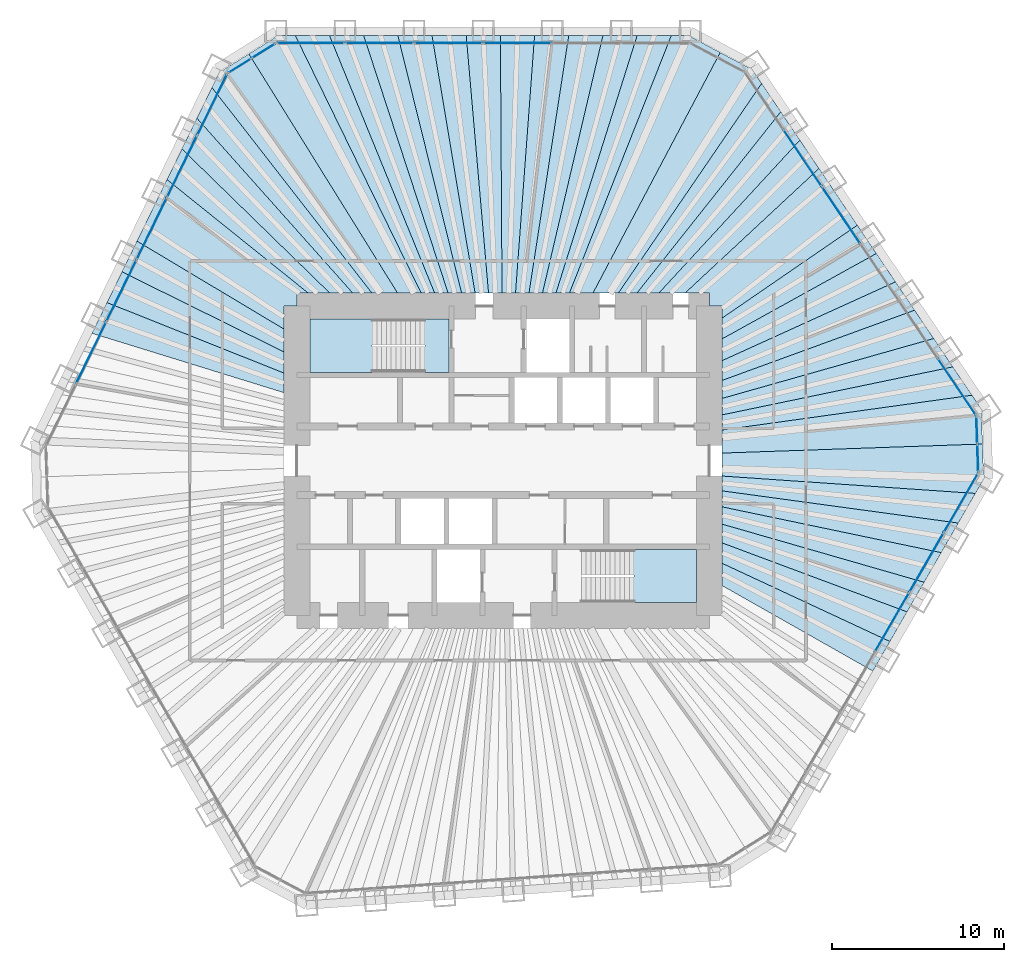
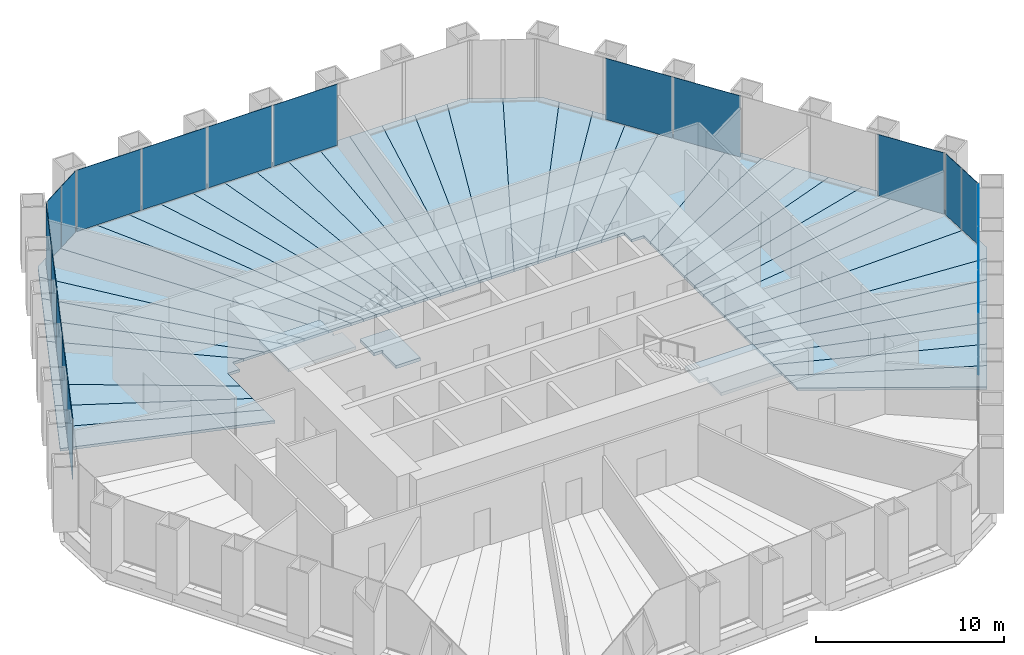
# One storey, part 9 of 13: 43 slabs, 19 plates, 8 elements without a shape of their own.
"""IFC4 building model written with IfcOpenShell, lengths in metres."""

import ifcopenshell
import ifcopenshell.guid

model = None  # the IFC model being written
_history = None  # IfcOwnerHistory: only IFC2X3 demands one
_inside = {}  # id of a spatial element -> (the spatial element, [elements in it])
_under = {}  # id of a project, library or spatial element -> (it, [spatial elements below it])
_declared = {}  # id of a project -> (the project, [libraries it declares])
_typed = {}  # id of a type object -> (the type object, [elements of that type])
_made_of = {}  # id of a material, layer set ... -> (it, [elements and type objects made of it])


def new_model(schema):
    """Start an empty IFC model of exactly this schema.

    Asked for "IFC4X3", IfcOpenShell would pick the latest addendum, in which some entities
    have other attributes; the version numbers below select the first issue.
    IFC2X3 requires an IfcOwnerHistory on every rooted entity: one is made here for all.
    """
    global model, _history
    if schema == "IFC4X3":
        model = ifcopenshell.file(schema_version=(4, 3, 0, 0))
    else:
        model = ifcopenshell.file(schema=schema)
    _inside.clear()
    _under.clear()
    _declared.clear()
    _typed.clear()
    _made_of.clear()
    _history = None
    if model.schema == "IFC2X3":
        org = make("IfcOrganization", Name="unknown")
        user = make(
            "IfcPersonAndOrganization",
            ThePerson=make("IfcPerson", FamilyName="unknown"),
            TheOrganization=org,
        )
        app = make(
            "IfcApplication",
            ApplicationDeveloper=org,
            Version="unknown",
            ApplicationFullName="unknown",
            ApplicationIdentifier="unknown",
        )
        _history = make(
            "IfcOwnerHistory",
            OwningUser=user,
            OwningApplication=app,
            ChangeAction="ADDED",
            CreationDate=0,
        )
    return model


def make(cls, **values):
    """One entity of the class cls with the attributes given. An attribute that is None is left unset."""
    return model.create_entity(
        cls, **{name: value for name, value in values.items() if value is not None}
    )


def rooted(cls, **values):
    """An entity with a GlobalId (a new one), such as an element, a storey or a relation."""
    return make(cls, GlobalId=ifcopenshell.guid.new(), OwnerHistory=_history, **values)


def si_unit(unit_type, name, prefix=None):
    """IfcSIUnit, for example si_unit("LENGTHUNIT", "METRE", prefix="MILLI")."""
    return make("IfcSIUnit", UnitType=unit_type, Prefix=prefix, Name=name)


def assignment(units):
    """IfcUnitAssignment: the units of a project."""
    return None if units is None else make("IfcUnitAssignment", Units=units)


def point(xyz):
    """IfcCartesianPoint."""
    return None if xyz is None else make("IfcCartesianPoint", Coordinates=xyz)


def direction(xyz):
    """IfcDirection."""
    return None if xyz is None else make("IfcDirection", DirectionRatios=xyz)


def frame(location, z_axis=None, x_axis=None):
    """IfcAxis2Placement3D, a coordinate frame: its origin and axes. An axis left out is left unset."""
    return make(
        "IfcAxis2Placement3D",
        Location=point(location),
        Axis=direction(z_axis),
        RefDirection=direction(x_axis),
    )


def frame_2d(location, x_axis=None):
    """IfcAxis2Placement2D, a coordinate frame in the plane: its origin and x axis."""
    return make(
        "IfcAxis2Placement2D", Location=point(location), RefDirection=direction(x_axis)
    )


def origin():
    """The frame at (0, 0, 0) with its axes left unset."""
    return frame((0.0, 0.0, 0.0))


def origin_2d():
    """The frame at (0, 0) in the plane with its x axis left unset."""
    return frame_2d((0.0, 0.0))


def place(relative_to, where):
    """IfcLocalPlacement: puts the frame where relative to a parent placement (None: the world)."""
    return make(
        "IfcLocalPlacement", PlacementRelTo=relative_to, RelativePlacement=where
    )


def context(
    kind, dimensions, precision=None, world=None, true_north=None, identifier=None
):
    """IfcGeometricRepresentationContext, for example the 3D "Model" context."""
    return make(
        "IfcGeometricRepresentationContext",
        ContextIdentifier=identifier,
        ContextType=kind,
        CoordinateSpaceDimension=dimensions,
        Precision=precision,
        WorldCoordinateSystem=world,
        TrueNorth=true_north,
    )


def subcontext(parent, identifier, kind, view, scale=None):
    """IfcGeometricRepresentationSubContext, for example "Body" below "Model"."""
    return make(
        "IfcGeometricRepresentationSubContext",
        ContextIdentifier=identifier,
        ContextType=kind,
        ParentContext=parent,
        TargetScale=scale,
        TargetView=view,
    )


def project(units=None, contexts=None):
    """IfcProject with its units and contexts."""
    return rooted(
        "IfcProject",
        Name="project",
        RepresentationContexts=contexts,
        UnitsInContext=assignment(units),
    )


def spatial(cls, under=None, at=None, **own):
    """A site, building, storey or space (cls), placed at a placement, below another one or the project."""
    s = rooted(cls, ObjectPlacement=at, **own)
    if under is not None:
        _under.setdefault(under.id(), (under, []))[1].append(s)
    return s


def polyline(points):
    """IfcPolyline through the points."""
    return make("IfcPolyline", Points=[point(p) for p in points])


def profile(cls, at=None, kind="AREA", **sizes):
    """A parametric profile (cls). Its sizes go by their IFC names, for example OverallWidth=200.0."""
    return make(cls, ProfileType=kind, Position=at, **sizes)


def rectangle(**sizes):
    """IfcRectangleProfileDef."""
    return profile("IfcRectangleProfileDef", **sizes)


def outline(outer, holes=None, kind="AREA"):
    """IfcArbitraryClosedProfileDef: a profile drawn as a closed curve; with holes, ...WithVoids."""
    if holes is None:
        return make("IfcArbitraryClosedProfileDef", ProfileType=kind, OuterCurve=outer)
    return make(
        "IfcArbitraryProfileDefWithVoids",
        ProfileType=kind,
        OuterCurve=outer,
        InnerCurves=holes,
    )


def extrude(swept, where, along, depth):
    """IfcExtrudedAreaSolid: the profile swept, set in the frame where, extruded along a direction by depth."""
    return make(
        "IfcExtrudedAreaSolid",
        SweptArea=swept,
        Position=where,
        ExtrudedDirection=direction(along),
        Depth=depth,
    )


def shape(context_of_items, identifier, shape_type, items):
    """IfcShapeRepresentation: the items that make up one representation, for example the "Body"."""
    return make(
        "IfcShapeRepresentation",
        ContextOfItems=context_of_items,
        RepresentationIdentifier=identifier,
        RepresentationType=shape_type,
        Items=items,
    )


def material(Name=None, Category=None):
    """IfcMaterial."""
    return make("IfcMaterial", Name=Name, Category=Category)


def layer(
    of_material, thickness, ventilated=None, Name=None, Category=None, Priority=None
):
    """IfcMaterialLayer: one layer of a wall or slab, of a material (None: an air gap)."""
    return make(
        "IfcMaterialLayer",
        Material=of_material,
        LayerThickness=thickness,
        IsVentilated=ventilated,
        Name=Name,
        Category=Category,
        Priority=Priority,
    )


def layer_set(layers, Name=None):
    """IfcMaterialLayerSet."""
    return make("IfcMaterialLayerSet", MaterialLayers=layers, LayerSetName=Name)


def made_of(thing, what):
    """Note that an element or type object is made of a material, layer set ...; save() writes the relation."""
    if what is not None:
        _made_of.setdefault(what.id(), (what, []))[1].append(thing)
    return thing


def type_object(cls, material=None, **own):
    """A type object (cls), such as IfcWallType, which elements share."""
    return made_of(rooted(cls, **own), material)


def element(
    cls,
    number,
    at=None,
    inside=None,
    cuts=None,
    type_object=None,
    material=None,
    context=None,
    identifier="Body",
    shape_type=None,
    held_by="IfcProductDefinitionShape",
    body=None,
    shapes=None,
    **own,
):
    """One element of the class cls, such as IfcWall. Its Tag is "e" and its number.

    at: its placement. inside: the storey or other place that contains it. cuts: it is an
    opening in that element (IfcRelVoidsElement). A single representation is given by context,
    identifier, shape_type and body (its items); several are given by shapes. held_by: the class
    of the entity that holds the representations. save() writes the other relations.
    """
    e = rooted(cls, Tag="e%d" % number, ObjectPlacement=at, **own)
    if body is not None:
        shapes = [shape(context, identifier, shape_type, body)]
    if shapes is not None:
        e.Representation = make(held_by, Representations=shapes)
    if inside is not None:
        _inside.setdefault(inside.id(), (inside, []))[1].append(e)
    if cuts is not None:
        rooted(
            "IfcRelVoidsElement", RelatingBuildingElement=cuts, RelatedOpeningElement=e
        )
    if type_object is not None:
        _typed.setdefault(type_object.id(), (type_object, []))[1].append(e)
    return made_of(e, material)


def aggregate(whole, parts):
    """IfcRelAggregates: a whole, such as a stair, and the parts it consists of."""
    return rooted("IfcRelAggregates", RelatingObject=whole, RelatedObjects=parts)


def save(model, path):
    """Write the relations noted so far, then the file.

    IfcRelAggregates (storeys below a building ...), IfcRelContainedInSpatialStructure (elements
    in a storey), IfcRelDefinesByType, IfcRelAssociatesMaterial and IfcRelDeclares: one each for
    every whole, place, type object, material and project.
    """
    for whole, parts in _under.values():
        aggregate(whole, parts)
    for where, things in _inside.values():
        rooted(
            "IfcRelContainedInSpatialStructure",
            RelatedElements=things,
            RelatingStructure=where,
        )
    for kind, things in _typed.values():
        rooted("IfcRelDefinesByType", RelatedObjects=things, RelatingType=kind)
    for what, things in _made_of.values():
        rooted("IfcRelAssociatesMaterial", RelatedObjects=things, RelatingMaterial=what)
    for by, libraries in _declared.values():
        rooted("IfcRelDeclares", RelatingContext=by, RelatedDefinitions=libraries)
    model.write(path)


model = new_model("IFC4")

# Units and contexts
model_context = context("Model", 3, precision=1e-05, world=origin(), true_north=direction((0.0, 1.0)))
body_context = subcontext(model_context, "Body", "Model", "MODEL_VIEW")
ifc_project = project(units=[si_unit("LENGTHUNIT", "METRE"), si_unit("AREAUNIT", "SQUARE_METRE"), si_unit("VOLUMEUNIT", "CUBIC_METRE"), si_unit("PLANEANGLEUNIT", "RADIAN"), si_unit("MASSUNIT", "GRAM", prefix="KILO")], contexts=[model_context])

# Site, building, storey
site_placement = place(None, origin())
site = spatial("IfcSite", under=ifc_project, at=site_placement, CompositionType="ELEMENT")
building_placement = place(site_placement, origin())
building = spatial("IfcBuilding", under=site, at=building_placement, Name="Qingtian Harvest Tower", CompositionType="ELEMENT")
storey_placement = place(building_placement, frame((0.0, 0.0, 124.0)))
storey = spatial("IfcBuildingStorey", under=building, at=storey_placement, Name="L25", CompositionType="ELEMENT", Elevation=124.0)

# Slabs
ifc_material_1 = material(Name="Concrete fc' 35 MPa", Category="concrete")
ifc_layer_1 = layer(ifc_material_1, 0.169921875)
ifc_layer_set_1 = layer_set([ifc_layer_1], Name="Composite floor slab FS17 170")
slab_type_1 = type_object("IfcSlabType", Name="Composite floor slab FS17 170", PredefinedType="FLOOR", material=ifc_layer_set_1)
slab_1_placement = place(storey_placement, frame((0.0, 0.0, -0.169921875)))
element("IfcSlab", 1, at=slab_1_placement, inside=storey, type_object=slab_type_1, Name="Floor slab L25 panel D33", PredefinedType="FLOOR", context=body_context, shape_type="SweptSolid", body=[
    extrude(outline(polyline([(12.75, -5.97021484375), (22.51220703125, -10.517578125), (21.517333984375, -12.24072265625), (12.75, -7.268798828125), (12.75, -5.97021484375)])), origin(), (0.0, 0.0, 1.0), 0.169921875),
])
slab_2_placement = place(storey_placement, frame((0.0, 0.0, -0.169921875)))
element("IfcSlab", 2, at=slab_2_placement, inside=storey, type_object=slab_type_1, Name="Floor slab L25 panel D34", PredefinedType="FLOOR", context=body_context, shape_type="SweptSolid", body=[
    extrude(outline(polyline([(12.75, -4.78173828125), (23.50732421875, -8.794189453125), (22.51220703125, -10.517578125), (12.75, -5.97021484375), (12.75, -4.78173828125)])), origin(), (0.0, 0.0, 1.0), 0.169921875),
])
slab_3_placement = place(storey_placement, frame((0.0, 0.0, -0.169921875)))
element("IfcSlab", 3, at=slab_3_placement, inside=storey, type_object=slab_type_1, Name="Floor slab L25 panel D35", PredefinedType="FLOOR", context=body_context, shape_type="SweptSolid", body=[
    extrude(outline(polyline([(12.75, -3.68994140625), (24.502197265625, -7.071044921875), (23.50732421875, -8.794189453125), (12.75, -4.78173828125), (12.75, -3.68994140625)])), origin(), (0.0, 0.0, 1.0), 0.169921875),
])
slab_4_placement = place(storey_placement, frame((0.0, 0.0, -0.169921875)))
element("IfcSlab", 4, at=slab_4_placement, inside=storey, type_object=slab_type_1, Name="Floor slab L25 panel D36", PredefinedType="FLOOR", context=body_context, shape_type="SweptSolid", body=[
    extrude(outline(polyline([(12.75, -2.683349609375), (25.4970703125, -5.34765625), (24.502197265625, -7.071044921875), (12.75, -3.68994140625), (12.75, -2.683349609375)])), origin(), (0.0, 0.0, 1.0), 0.169921875),
])
slab_5_placement = place(storey_placement, frame((0.0, 0.0, -0.169921875)))
element("IfcSlab", 5, at=slab_5_placement, inside=storey, type_object=slab_type_1, Name="Floor slab L25 panel D37", PredefinedType="FLOOR", context=body_context, shape_type="SweptSolid", body=[
    extrude(outline(polyline([(12.75, -1.752685546875), (26.4921875, -3.624267578125), (25.4970703125, -5.34765625), (12.75, -2.683349609375), (12.75, -1.752685546875)])), origin(), (0.0, 0.0, 1.0), 0.169921875),
])
slab_6_placement = place(storey_placement, frame((0.0, 0.0, -0.169921875)))
element("IfcSlab", 6, at=slab_6_placement, inside=storey, type_object=slab_type_1, Name="Floor slab L25 panel D38", PredefinedType="FLOOR", context=body_context, shape_type="SweptSolid", body=[
    extrude(outline(polyline([(12.75, -0.889404296875), (27.487060546875, -1.901123046875), (26.4921875, -3.624267578125), (12.75, -1.752685546875), (12.75, -0.889404296875)])), origin(), (0.0, 0.0, 1.0), 0.169921875),
])
slab_7_placement = place(storey_placement, frame((0.0, 0.0, -0.169921875)))
element("IfcSlab", 7, at=slab_7_placement, inside=storey, type_object=slab_type_1, Name="Floor slab L25 panel D39", PredefinedType="FLOOR", context=body_context, shape_type="SweptSolid", body=[
    extrude(outline(polyline([(12.75, -0.889404296875), (12.75, 0.447509765625), (27.90185546875, 0.974365234375), (27.972900390625, -1.059814453125), (27.487060546875, -1.901123046875), (12.75, -0.889404296875)])), origin(), (0.0, 0.0, 1.0), 0.169921875),
])
slab_8_placement = place(storey_placement, frame((0.0, 0.0, -0.169921875)))
element("IfcSlab", 8, at=slab_8_placement, inside=storey, type_object=slab_type_1, Name="Floor slab L25 panel D40", PredefinedType="FLOOR", context=body_context, shape_type="SweptSolid", body=[
    extrude(outline(polyline([(12.75, 0.447509765625), (12.75, 1.79052734375), (27.287353515625, 3.81396484375), (27.830810546875, 3.008544921875), (27.90185546875, 0.974365234375), (12.75, 0.447509765625)])), origin(), (0.0, 0.0, 1.0), 0.169921875),
])
slab_9_placement = place(storey_placement, frame((0.0, 0.0, -0.169921875)))
element("IfcSlab", 9, at=slab_9_placement, inside=storey, type_object=slab_type_1, Name="Floor slab L25 panel D41", PredefinedType="FLOOR", context=body_context, shape_type="SweptSolid", body=[
    extrude(outline(polyline([(12.75, 2.671142578125), (26.1748046875, 5.463623046875), (27.287353515625, 3.81396484375), (12.75, 1.79052734375), (12.75, 2.671142578125)])), origin(), (0.0, 0.0, 1.0), 0.169921875),
])
slab_10_placement = place(storey_placement, frame((0.0, 0.0, -0.169921875)))
element("IfcSlab", 10, at=slab_10_placement, inside=storey, type_object=slab_type_1, Name="Floor slab L25 panel D42", PredefinedType="FLOOR", context=body_context, shape_type="SweptSolid", body=[
    extrude(outline(polyline([(12.75, 3.6298828125), (25.06201171875, 7.11328125), (26.1748046875, 5.463623046875), (12.75, 2.671142578125), (12.75, 3.6298828125)])), origin(), (0.0, 0.0, 1.0), 0.169921875),
])
slab_11_placement = place(storey_placement, frame((0.0, 0.0, -0.169921875)))
element("IfcSlab", 11, at=slab_11_placement, inside=storey, type_object=slab_type_1, Name="Floor slab L25 panel D43", PredefinedType="FLOOR", context=body_context, shape_type="SweptSolid", body=[
    extrude(outline(polyline([(12.75, 4.677734375), (23.94921875, 8.762939453125), (25.06201171875, 7.11328125), (12.75, 3.6298828125), (12.75, 4.677734375)])), origin(), (0.0, 0.0, 1.0), 0.169921875),
])
slab_12_placement = place(storey_placement, frame((0.0, 0.0, -0.169921875)))
element("IfcSlab", 12, at=slab_12_placement, inside=storey, type_object=slab_type_1, Name="Floor slab L25 panel D44", PredefinedType="FLOOR", context=body_context, shape_type="SweptSolid", body=[
    extrude(outline(polyline([(12.75, 5.828125), (22.83642578125, 10.41259765625), (23.94921875, 8.762939453125), (12.75, 4.677734375), (12.75, 5.828125)])), origin(), (0.0, 0.0, 1.0), 0.169921875),
])
slab_13_placement = place(storey_placement, frame((0.0, 0.0, -0.169921875)))
element("IfcSlab", 13, at=slab_13_placement, inside=storey, type_object=slab_type_1, Name="Floor slab L25 panel D45", PredefinedType="FLOOR", context=body_context, shape_type="SweptSolid", body=[
    extrude(outline(polyline([(12.75, 7.096435546875), (21.723876953125, 12.062255859375), (22.83642578125, 10.41259765625), (12.75, 5.828125), (12.75, 7.096435546875)])), origin(), (0.0, 0.0, 1.0), 0.169921875),
])
slab_14_placement = place(storey_placement, frame((0.0, 0.0, -0.169921875)))
element("IfcSlab", 14, at=slab_14_placement, inside=storey, type_object=slab_type_1, Name="Floor slab L25 panel D46", PredefinedType="FLOOR", context=body_context, shape_type="SweptSolid", body=[
    extrude(outline(polyline([(12.75, 8.30615234375), (20.61328125, 13.708740234375), (21.723876953125, 12.062255859375), (12.75, 7.096435546875), (12.75, 8.30615234375)])), origin(), (0.0, 0.0, 1.0), 0.169921875),
])
slab_15_placement = place(storey_placement, frame((0.0, 0.0, -0.169921875)))
element("IfcSlab", 15, at=slab_15_placement, inside=storey, type_object=slab_type_1, Name="Floor slab L25 panel D48", PredefinedType="FLOOR", context=body_context, shape_type="SweptSolid", body=[
    extrude(outline(polyline([(18.38623046875, 17.010498046875), (20.61328125, 13.708740234375), (12.75, 8.30615234375), (12.75, 9.0), (12.0, 9.0), (12.0, 9.75), (10.578369140625, 9.75), (18.38623046875, 17.010498046875)])), origin(), (0.0, 0.0, 1.0), 0.169921875),
])
slab_16_placement = place(storey_placement, frame((0.0, 0.0, -0.169921875)))
element("IfcSlab", 16, at=slab_16_placement, inside=storey, type_object=slab_type_1, Name="Floor slab L25 panel D49", PredefinedType="FLOOR", context=body_context, shape_type="SweptSolid", body=[
    extrude(outline(polyline([(9.0556640625, 9.75), (17.2734375, 18.66015625), (18.38623046875, 17.010498046875), (10.578369140625, 9.75), (9.0556640625, 9.75)])), origin(), (0.0, 0.0, 1.0), 0.169921875),
])
slab_17_placement = place(storey_placement, frame((0.0, 0.0, -0.169921875)))
element("IfcSlab", 17, at=slab_17_placement, inside=storey, type_object=slab_type_1, Name="Floor slab L25 panel D50", PredefinedType="FLOOR", context=body_context, shape_type="SweptSolid", body=[
    extrude(outline(polyline([(7.781494140625, 9.75), (16.16064453125, 20.31005859375), (17.2734375, 18.66015625), (9.0556640625, 9.75), (7.781494140625, 9.75)])), origin(), (0.0, 0.0, 1.0), 0.169921875),
])
slab_18_placement = place(storey_placement, frame((0.0, 0.0, -0.169921875)))
element("IfcSlab", 18, at=slab_18_placement, inside=storey, type_object=slab_type_1, Name="Floor slab L25 panel D51", PredefinedType="FLOOR", context=body_context, shape_type="SweptSolid", body=[
    extrude(outline(polyline([(6.69970703125, 9.75), (15.0478515625, 21.959716796875), (16.16064453125, 20.31005859375), (7.781494140625, 9.75), (6.69970703125, 9.75)])), origin(), (0.0, 0.0, 1.0), 0.169921875),
])
slab_19_placement = place(storey_placement, frame((0.0, 0.0, -0.169921875)))
element("IfcSlab", 19, at=slab_19_placement, inside=storey, type_object=slab_type_1, Name="Floor slab L25 panel D52", PredefinedType="FLOOR", context=body_context, shape_type="SweptSolid", body=[
    extrude(outline(polyline([(6.69970703125, 9.75), (5.224609375, 9.75), (12.634033203125, 23.759765625), (14.504638671875, 22.765380859375), (15.0478515625, 21.959716796875), (6.69970703125, 9.75)])), origin(), (0.0, 0.0, 1.0), 0.169921875),
])
slab_20_placement = place(storey_placement, frame((0.0, 0.0, -0.169921875)))
element("IfcSlab", 20, at=slab_20_placement, inside=storey, type_object=slab_type_1, Name="Floor slab L25 panel D53", PredefinedType="FLOOR", context=body_context, shape_type="SweptSolid", body=[
    extrude(outline(polyline([(3.856201171875, 9.75), (9.791015625, 24.7548828125), (10.762451171875, 24.7548828125), (12.634033203125, 23.759765625), (5.224609375, 9.75), (3.856201171875, 9.75)])), origin(), (0.0, 0.0, 1.0), 0.169921875),
])
slab_21_placement = place(storey_placement, frame((0.0, 0.0, -0.169921875)))
element("IfcSlab", 21, at=slab_21_placement, inside=storey, type_object=slab_type_1, Name="Floor slab L25 panel D54", PredefinedType="FLOOR", context=body_context, shape_type="SweptSolid", body=[
    extrude(outline(polyline([(3.072509765625, 9.75), (7.80126953125, 24.7548828125), (9.791015625, 24.7548828125), (3.856201171875, 9.75), (3.072509765625, 9.75)])), origin(), (0.0, 0.0, 1.0), 0.169921875),
])
slab_22_placement = place(storey_placement, frame((0.0, 0.0, -0.169921875)))
element("IfcSlab", 22, at=slab_22_placement, inside=storey, type_object=slab_type_1, Name="Floor slab L25 panel D55", PredefinedType="FLOOR", context=body_context, shape_type="SweptSolid", body=[
    extrude(outline(polyline([(2.288818359375, 9.75), (5.811279296875, 24.7548828125), (7.80126953125, 24.7548828125), (3.072509765625, 9.75), (2.288818359375, 9.75)])), origin(), (0.0, 0.0, 1.0), 0.169921875),
])
slab_23_placement = place(storey_placement, frame((0.0, 0.0, -0.169921875)))
element("IfcSlab", 23, at=slab_23_placement, inside=storey, type_object=slab_type_1, Name="Floor slab L25 panel D56", PredefinedType="FLOOR", context=body_context, shape_type="SweptSolid", body=[
    extrude(outline(polyline([(1.505126953125, 9.75), (3.821533203125, 24.7548828125), (5.811279296875, 24.7548828125), (2.288818359375, 9.75), (1.505126953125, 9.75)])), origin(), (0.0, 0.0, 1.0), 0.169921875),
])
slab_24_placement = place(storey_placement, frame((0.0, 0.0, -0.169921875)))
element("IfcSlab", 24, at=slab_24_placement, inside=storey, type_object=slab_type_1, Name="Floor slab L25 panel D57", PredefinedType="FLOOR", context=body_context, shape_type="SweptSolid", body=[
    extrude(outline(polyline([(0.721435546875, 9.75), (1.831787109375, 24.7548828125), (3.821533203125, 24.7548828125), (1.505126953125, 9.75), (0.721435546875, 9.75)])), origin(), (0.0, 0.0, 1.0), 0.169921875),
])
slab_25_placement = place(storey_placement, frame((0.0, 0.0, -0.169921875)))
element("IfcSlab", 25, at=slab_25_placement, inside=storey, type_object=slab_type_1, Name="Floor slab L25 panel D58", PredefinedType="FLOOR", context=body_context, shape_type="SweptSolid", body=[
    extrude(outline(polyline([(-0.062255859375, 9.75), (-0.158203125, 24.7548828125), (1.831787109375, 24.7548828125), (0.721435546875, 9.75), (-0.062255859375, 9.75)])), origin(), (0.0, 0.0, 1.0), 0.169921875),
])
slab_26_placement = place(storey_placement, frame((0.0, 0.0, -0.169921875)))
element("IfcSlab", 26, at=slab_26_placement, inside=storey, type_object=slab_type_1, Name="Floor slab L25 panel D59", PredefinedType="FLOOR", context=body_context, shape_type="SweptSolid", body=[
    extrude(outline(polyline([(-0.845947265625, 9.75), (-2.14794921875, 24.7548828125), (-0.158203125, 24.7548828125), (-0.062255859375, 9.75), (-0.845947265625, 9.75)])), origin(), (0.0, 0.0, 1.0), 0.169921875),
])
slab_27_placement = place(storey_placement, frame((0.0, 0.0, -0.169921875)))
element("IfcSlab", 27, at=slab_27_placement, inside=storey, type_object=slab_type_1, Name="Floor slab L25 panel D60", PredefinedType="FLOOR", context=body_context, shape_type="SweptSolid", body=[
    extrude(outline(polyline([(-1.629638671875, 9.75), (-4.137939453125, 24.7548828125), (-2.14794921875, 24.7548828125), (-0.845947265625, 9.75), (-1.629638671875, 9.75)])), origin(), (0.0, 0.0, 1.0), 0.169921875),
])
slab_28_placement = place(storey_placement, frame((0.0, 0.0, -0.169921875)))
element("IfcSlab", 28, at=slab_28_placement, inside=storey, type_object=slab_type_1, Name="Floor slab L25 panel D61", PredefinedType="FLOOR", context=body_context, shape_type="SweptSolid", body=[
    extrude(outline(polyline([(-2.41357421875, 9.75), (-6.127685546875, 24.7548828125), (-4.137939453125, 24.7548828125), (-1.629638671875, 9.75), (-2.41357421875, 9.75)])), origin(), (0.0, 0.0, 1.0), 0.169921875),
])
slab_29_placement = place(storey_placement, frame((0.0, 0.0, -0.169921875)))
element("IfcSlab", 29, at=slab_29_placement, inside=storey, type_object=slab_type_1, Name="Floor slab L25 panel D62", PredefinedType="FLOOR", context=body_context, shape_type="SweptSolid", body=[
    extrude(outline(polyline([(-3.197265625, 9.75), (-8.117431640625, 24.7548828125), (-6.127685546875, 24.7548828125), (-2.41357421875, 9.75), (-3.197265625, 9.75)])), origin(), (0.0, 0.0, 1.0), 0.169921875),
])
slab_30_placement = place(storey_placement, frame((0.0, 0.0, -0.169921875)))
element("IfcSlab", 30, at=slab_30_placement, inside=storey, type_object=slab_type_1, Name="Floor slab L25 panel D63", PredefinedType="FLOOR", context=body_context, shape_type="SweptSolid", body=[
    extrude(outline(polyline([(-3.98095703125, 9.75), (-10.107421875, 24.7548828125), (-8.117431640625, 24.7548828125), (-3.197265625, 9.75), (-3.98095703125, 9.75)])), origin(), (0.0, 0.0, 1.0), 0.169921875),
])
slab_31_placement = place(storey_placement, frame((0.0, 0.0, -0.169921875)))
element("IfcSlab", 31, at=slab_31_placement, inside=storey, type_object=slab_type_1, Name="Floor slab L25 panel D64", PredefinedType="FLOOR", context=body_context, shape_type="SweptSolid", body=[
    extrude(outline(polyline([(-4.7646484375, 9.75), (-12.09716796875, 24.7548828125), (-10.107421875, 24.7548828125), (-3.98095703125, 9.75), (-4.7646484375, 9.75)])), origin(), (0.0, 0.0, 1.0), 0.169921875),
])
slab_32_placement = place(storey_placement, frame((0.0, 0.0, -0.169921875)))
element("IfcSlab", 32, at=slab_32_placement, inside=storey, type_object=slab_type_1, Name="Floor slab L25 panel D65", PredefinedType="FLOOR", context=body_context, shape_type="SweptSolid", body=[
    extrude(outline(polyline([(-4.7646484375, 9.75), (-6.13671875, 9.75), (-14.795166015625, 23.676025390625), (-13.068603515625, 24.7548828125), (-12.09716796875, 24.7548828125), (-4.7646484375, 9.75)])), origin(), (0.0, 0.0, 1.0), 0.169921875),
])
slab_33_placement = place(storey_placement, frame((0.0, 0.0, -0.169921875)))
element("IfcSlab", 33, at=slab_33_placement, inside=storey, type_object=slab_type_1, Name="Floor slab L25 panel D66", PredefinedType="FLOOR", context=body_context, shape_type="SweptSolid", body=[
    extrude(outline(polyline([(-6.13671875, 9.75), (-7.62646484375, 9.75), (-16.94677734375, 21.724609375), (-16.520751953125, 22.597900390625), (-14.795166015625, 23.676025390625), (-6.13671875, 9.75)])), origin(), (0.0, 0.0, 1.0), 0.169921875),
])
slab_34_placement = place(storey_placement, frame((0.0, 0.0, -0.169921875)))
element("IfcSlab", 34, at=slab_34_placement, inside=storey, type_object=slab_type_1, Name="Floor slab L25 panel D67", PredefinedType="FLOOR", context=body_context, shape_type="SweptSolid", body=[
    extrude(outline(polyline([(-8.74169921875, 9.75), (-17.819091796875, 19.93603515625), (-16.94677734375, 21.724609375), (-7.62646484375, 9.75), (-8.74169921875, 9.75)])), origin(), (0.0, 0.0, 1.0), 0.169921875),
])
slab_35_placement = place(storey_placement, frame((0.0, 0.0, -0.169921875)))
element("IfcSlab", 35, at=slab_35_placement, inside=storey, type_object=slab_type_1, Name="Floor slab L25 panel D68", PredefinedType="FLOOR", context=body_context, shape_type="SweptSolid", body=[
    extrude(outline(polyline([(-10.077880859375, 9.75), (-18.69140625, 18.1474609375), (-17.819091796875, 19.93603515625), (-8.74169921875, 9.75), (-10.077880859375, 9.75)])), origin(), (0.0, 0.0, 1.0), 0.169921875),
])
slab_36_placement = place(storey_placement, frame((0.0, 0.0, -0.169921875)))
element("IfcSlab", 36, at=slab_36_placement, inside=storey, type_object=slab_type_1, Name="Floor slab L25 panel D69", PredefinedType="FLOOR", context=body_context, shape_type="SweptSolid", body=[
    extrude(outline(polyline([(-11.329345703125, 9.75), (-19.561279296875, 16.364013671875), (-18.69140625, 18.1474609375), (-10.077880859375, 9.75), (-11.329345703125, 9.75)])), origin(), (0.0, 0.0, 1.0), 0.169921875),
])
slab_37_placement = place(storey_placement, frame((0.0, 0.0, -0.169921875)))
element("IfcSlab", 37, at=slab_37_placement, inside=storey, type_object=slab_type_1, Name="Floor slab L25 panel D70", PredefinedType="FLOOR", context=body_context, shape_type="SweptSolid", body=[
    extrude(outline(polyline([(-12.0, 9.0), (-12.75, 9.0), (-12.75, 7.662841796875), (-21.307861328125, 12.78271484375), (-19.561279296875, 16.364013671875), (-11.329345703125, 9.75), (-12.0, 9.75), (-12.0, 9.0)])), origin(), (0.0, 0.0, 1.0), 0.169921875),
])
slab_38_placement = place(storey_placement, frame((0.0, 0.0, -0.169921875)))
element("IfcSlab", 38, at=slab_38_placement, inside=storey, type_object=slab_type_1, Name="Floor slab L25 panel D72", PredefinedType="FLOOR", context=body_context, shape_type="SweptSolid", body=[
    extrude(outline(polyline([(-12.75, 6.332275390625), (-22.18017578125, 10.994384765625), (-21.307861328125, 12.78271484375), (-12.75, 7.662841796875), (-12.75, 6.332275390625)])), origin(), (0.0, 0.0, 1.0), 0.169921875),
])
slab_39_placement = place(storey_placement, frame((0.0, 0.0, -0.169921875)))
element("IfcSlab", 39, at=slab_39_placement, inside=storey, type_object=slab_type_1, Name="Floor slab L25 panel D73", PredefinedType="FLOOR", context=body_context, shape_type="SweptSolid", body=[
    extrude(outline(polyline([(-12.75, 5.1025390625), (-23.052490234375, 9.205810546875), (-22.18017578125, 10.994384765625), (-12.75, 6.332275390625), (-12.75, 5.1025390625)])), origin(), (0.0, 0.0, 1.0), 0.169921875),
])
slab_40_placement = place(storey_placement, frame((0.0, 0.0, -0.169921875)))
element("IfcSlab", 40, at=slab_40_placement, inside=storey, type_object=slab_type_1, Name="Floor slab L25 panel D74", PredefinedType="FLOOR", context=body_context, shape_type="SweptSolid", body=[
    extrude(outline(polyline([(-12.75, 3.962646484375), (-23.9248046875, 7.417236328125), (-23.052490234375, 9.205810546875), (-12.75, 5.1025390625), (-12.75, 3.962646484375)])), origin(), (0.0, 0.0, 1.0), 0.169921875),
])

# Curtain wall, plates
ifc_material_2 = material(Name="Bronze-anodised aluminium curtain wall", Category="aluminium")
curtain_wall_type = type_object("IfcCurtainWallType", Name="Curtain wall CW4 office", PredefinedType="USERDEFINED", material=ifc_material_2)
curtain_wall_1_placement = place(storey_placement, origin())
curtain_wall_1 = element("IfcCurtainWall", 41, at=curtain_wall_1_placement, inside=storey, type_object=curtain_wall_type, Name="Curtain wall CW4 L25 N0-5", ObjectType="RECESSED CURTAIN WALL", PredefinedType="USERDEFINED")
ifc_material_3 = material(Name="Bronze-tinted laminated insulating glass", Category="glass")
ifc_layer_2 = layer(ifc_material_3, 0.030029296875)
ifc_layer_set_2 = layer_set([ifc_layer_2], Name="Glazed panel CWP tinted IGU")
plate_type = type_object("IfcPlateType", Name="Glazed panel CWP tinted IGU", PredefinedType="CURTAIN_PANEL", material=ifc_layer_set_2)
plate_1_placement = place(storey_placement, frame((-11.196044921875, 24.300048828125, 0.06494140625), z_axis=(0.0, 0.0, 1.0), x_axis=(1.0, 0.0, 0.0)))
plate_1 = element("IfcPlate", 42, at=plate_1_placement, type_object=plate_type, Name="CW4 panel 1.1", PredefinedType="CURTAIN_PANEL", context=body_context, shape_type="SweptSolid", body=[
    extrude(rectangle(XDim=3.921630859375, YDim=0.030029296875, at=origin_2d()), origin(), (0.0, 0.0, 1.0), 3.965087890625),
])
plate_2_placement = place(storey_placement, frame((-7.193115234375, 24.300048828125, 0.06494140625), z_axis=(0.0, 0.0, 1.0), x_axis=(1.0, 0.0, 0.0)))
plate_2 = element("IfcPlate", 43, at=plate_2_placement, type_object=plate_type, Name="CW4 panel 2.1", PredefinedType="CURTAIN_PANEL", context=body_context, shape_type="SweptSolid", body=[
    extrude(rectangle(XDim=3.9541015625, YDim=0.030029296875, at=origin_2d()), origin(), (0.0, 0.0, 1.0), 3.965087890625),
])
plate_3_placement = place(storey_placement, frame((-3.174072265625, 24.300048828125, 0.06494140625), z_axis=(0.0, 0.0, 1.0), x_axis=(1.0, 0.0, 0.0)))
plate_3 = element("IfcPlate", 44, at=plate_3_placement, type_object=plate_type, Name="CW4 panel 3.1", PredefinedType="CURTAIN_PANEL", context=body_context, shape_type="SweptSolid", body=[
    extrude(rectangle(XDim=3.9541015625, YDim=0.030029296875, at=origin_2d()), origin(), (0.0, 0.0, 1.0), 3.965087890625),
])
plate_4_placement = place(storey_placement, frame((0.844970703125, 24.300048828125, 0.06494140625), z_axis=(0.0, 0.0, 1.0), x_axis=(1.0, 0.0, 0.0)))
plate_4 = element("IfcPlate", 45, at=plate_4_placement, type_object=plate_type, Name="CW4 panel 4.1", PredefinedType="CURTAIN_PANEL", context=body_context, shape_type="SweptSolid", body=[
    extrude(rectangle(XDim=3.9541015625, YDim=0.030029296875, at=origin_2d()), origin(), (0.0, 0.0, 1.0), 3.965087890625),
])
aggregate(curtain_wall_1, [plate_1, plate_2, plate_3, plate_4])

curtain_wall_2_placement = place(storey_placement, origin())
curtain_wall_2 = element("IfcCurtainWall", 46, at=curtain_wall_2_placement, inside=storey, type_object=curtain_wall_type, Name="Curtain wall CW4 L25 NE0-5", ObjectType="RECESSED CURTAIN WALL", PredefinedType="USERDEFINED")
plate_5_placement = place(storey_placement, frame((17.425537109375, 17.620849609375, 0.06494140625), z_axis=(0.0, 0.0, 1.0), x_axis=(0.559192903471, -0.829037572555, 0.0)))
plate_5 = element("IfcPlate", 47, at=plate_5_placement, type_object=plate_type, Name="CW4 panel 2.1", PredefinedType="CURTAIN_PANEL", context=body_context, shape_type="SweptSolid", body=[
    extrude(rectangle(XDim=3.9541015625, YDim=0.030029296875, at=origin_2d()), origin(), (0.0, 0.0, 1.0), 3.965087890625),
])
plate_6_placement = place(storey_placement, frame((19.673095703125, 14.2890625, 0.06494140625), z_axis=(0.0, 0.0, 1.0), x_axis=(0.559192903471, -0.829037572555, 0.0)))
plate_6 = element("IfcPlate", 48, at=plate_6_placement, type_object=plate_type, Name="CW4 panel 3.1", PredefinedType="CURTAIN_PANEL", context=body_context, shape_type="SweptSolid", body=[
    extrude(rectangle(XDim=3.9541015625, YDim=0.030029296875, at=origin_2d()), origin(), (0.0, 0.0, 1.0), 3.965087890625),
])
plate_7_placement = place(storey_placement, frame((26.40625, 4.306640625, 0.06494140625), z_axis=(0.0, 0.0, 1.0), x_axis=(0.559192903471, -0.829037572555, 0.0)))
plate_7 = element("IfcPlate", 49, at=plate_7_placement, type_object=plate_type, Name="CW4 panel 6.1", PredefinedType="CURTAIN_PANEL", context=body_context, shape_type="SweptSolid", body=[
    extrude(rectangle(XDim=3.921630859375, YDim=0.030029296875, at=origin_2d()), origin(), (0.0, 0.0, 1.0), 3.965087890625),
])
aggregate(curtain_wall_2, [plate_5, plate_6, plate_7])

curtain_wall_3_placement = place(storey_placement, origin())
curtain_wall_3 = element("IfcCurtainWall", 50, at=curtain_wall_3_placement, inside=storey, type_object=curtain_wall_type, Name="Curtain wall CW4 L25 NEC", ObjectType="RECESSED CURTAIN WALL", PredefinedType="USERDEFINED")
plate_8_placement = place(storey_placement, frame((27.568603515625, 1.779052734375, 0.06494140625), z_axis=(0.0, 0.0, 1.0), x_axis=(0.034899496703, -0.999390827019, 0.0)))
plate_8 = element("IfcPlate", 51, at=plate_8_placement, type_object=plate_type, Name="CW4 panel 1.1", PredefinedType="CURTAIN_PANEL", context=body_context, shape_type="SweptSolid", body=[
    extrude(rectangle(XDim=1.56689453125, YDim=0.030029296875, at=origin_2d()), origin(), (0.0, 0.0, 1.0), 3.965087890625),
])
plate_9_placement = place(storey_placement, frame((27.625732421875, 0.148193359375, 0.06494140625), z_axis=(0.0, 0.0, 1.0), x_axis=(0.034899496703, -0.999390827019, 0.0)))
plate_9 = element("IfcPlate", 52, at=plate_9_placement, type_object=plate_type, Name="CW4 panel 2.1", PredefinedType="CURTAIN_PANEL", context=body_context, shape_type="SweptSolid", body=[
    extrude(rectangle(XDim=1.56689453125, YDim=0.030029296875, at=origin_2d()), origin(), (0.0, 0.0, 1.0), 3.965087890625),
])
aggregate(curtain_wall_3, [plate_8, plate_9])

curtain_wall_4_placement = place(storey_placement, origin())
curtain_wall_4 = element("IfcCurtainWall", 53, at=curtain_wall_4_placement, inside=storey, type_object=curtain_wall_type, Name="Curtain wall CW4 L25 SE0-5", ObjectType="RECESSED CURTAIN WALL", PredefinedType="USERDEFINED")
plate_10_placement = place(storey_placement, frame((26.642333984375, -2.4541015625, 0.06494140625), z_axis=(0.0, 0.0, 1.0), x_axis=(-0.5, -0.866025403784, 0.0)))
plate_10 = element("IfcPlate", 54, at=plate_10_placement, type_object=plate_type, Name="CW4 panel 1.1", PredefinedType="CURTAIN_PANEL", context=body_context, shape_type="SweptSolid", body=[
    extrude(rectangle(XDim=3.921630859375, YDim=0.030029296875, at=origin_2d()), origin(), (0.0, 0.0, 1.0), 3.965087890625),
])
plate_11_placement = place(storey_placement, frame((24.640869140625, -5.920654296875, 0.06494140625), z_axis=(0.0, 0.0, 1.0), x_axis=(-0.5, -0.866025403784, 0.0)))
plate_11 = element("IfcPlate", 55, at=plate_11_placement, type_object=plate_type, Name="CW4 panel 2.1", PredefinedType="CURTAIN_PANEL", context=body_context, shape_type="SweptSolid", body=[
    extrude(rectangle(XDim=3.9541015625, YDim=0.030029296875, at=origin_2d()), origin(), (0.0, 0.0, 1.0), 3.965087890625),
])
plate_12_placement = place(storey_placement, frame((22.63134765625, -9.401123046875, 0.06494140625), z_axis=(0.0, 0.0, 1.0), x_axis=(-0.5, -0.866025403784, 0.0)))
plate_12 = element("IfcPlate", 56, at=plate_12_placement, type_object=plate_type, Name="CW4 panel 3.1", PredefinedType="CURTAIN_PANEL", context=body_context, shape_type="SweptSolid", body=[
    extrude(rectangle(XDim=3.9541015625, YDim=0.030029296875, at=origin_2d()), origin(), (0.0, 0.0, 1.0), 3.965087890625),
])
aggregate(curtain_wall_4, [plate_10, plate_11, plate_12])

curtain_wall_5_placement = place(storey_placement, origin())
curtain_wall_5 = element("IfcCurtainWall", 57, at=curtain_wall_5_placement, inside=storey, type_object=curtain_wall_type, Name="Curtain wall CW4 L25 NW0-5", ObjectType="RECESSED CURTAIN WALL", PredefinedType="USERDEFINED")
plate_13_placement = place(storey_placement, frame((-23.972900390625, 6.280517578125, 0.06494140625), z_axis=(0.0, 0.0, 1.0), x_axis=(0.438371146789, 0.898794046299, 0.0)))
plate_13 = element("IfcPlate", 58, at=plate_13_placement, type_object=plate_type, Name="CW4 panel 2.1", PredefinedType="CURTAIN_PANEL", context=body_context, shape_type="SweptSolid", body=[
    extrude(rectangle(XDim=3.9541015625, YDim=0.030029296875, at=origin_2d()), origin(), (0.0, 0.0, 1.0), 3.965087890625),
])
plate_14_placement = place(storey_placement, frame((-22.211181640625, 9.892822265625, 0.06494140625), z_axis=(0.0, 0.0, 1.0), x_axis=(0.438371146789, 0.898794046299, 0.0)))
plate_14 = element("IfcPlate", 59, at=plate_14_placement, type_object=plate_type, Name="CW4 panel 3.1", PredefinedType="CURTAIN_PANEL", context=body_context, shape_type="SweptSolid", body=[
    extrude(rectangle(XDim=3.9541015625, YDim=0.030029296875, at=origin_2d()), origin(), (0.0, 0.0, 1.0), 3.965087890625),
])
plate_15_placement = place(storey_placement, frame((-20.44921875, 13.505126953125, 0.06494140625), z_axis=(0.0, 0.0, 1.0), x_axis=(0.438371146789, 0.898794046299, 0.0)))
plate_15 = element("IfcPlate", 60, at=plate_15_placement, type_object=plate_type, Name="CW4 panel 4.1", PredefinedType="CURTAIN_PANEL", context=body_context, shape_type="SweptSolid", body=[
    extrude(rectangle(XDim=3.9541015625, YDim=0.030029296875, at=origin_2d()), origin(), (0.0, 0.0, 1.0), 3.965087890625),
])
plate_16_placement = place(storey_placement, frame((-18.6875, 17.117431640625, 0.06494140625), z_axis=(0.0, 0.0, 1.0), x_axis=(0.438371146789, 0.898794046299, 0.0)))
plate_16 = element("IfcPlate", 61, at=plate_16_placement, type_object=plate_type, Name="CW4 panel 5.1", PredefinedType="CURTAIN_PANEL", context=body_context, shape_type="SweptSolid", body=[
    extrude(rectangle(XDim=3.9541015625, YDim=0.030029296875, at=origin_2d()), origin(), (0.0, 0.0, 1.0), 3.965087890625),
])
plate_17_placement = place(storey_placement, frame((-16.9326171875, 20.71533203125, 0.06494140625), z_axis=(0.0, 0.0, 1.0), x_axis=(0.438371146789, 0.898794046299, 0.0)))
plate_17 = element("IfcPlate", 62, at=plate_17_placement, type_object=plate_type, Name="CW4 panel 6.1", PredefinedType="CURTAIN_PANEL", context=body_context, shape_type="SweptSolid", body=[
    extrude(rectangle(XDim=3.921630859375, YDim=0.030029296875, at=origin_2d()), origin(), (0.0, 0.0, 1.0), 3.965087890625),
])
aggregate(curtain_wall_5, [plate_13, plate_14, plate_15, plate_16, plate_17])

curtain_wall_6_placement = place(storey_placement, origin())
curtain_wall_6 = element("IfcCurtainWall", 63, at=curtain_wall_6_placement, inside=storey, type_object=curtain_wall_type, Name="Curtain wall CW4 L25 NWC", ObjectType="RECESSED CURTAIN WALL", PredefinedType="USERDEFINED")
plate_18_placement = place(storey_placement, frame((-15.3251953125, 22.985595703125, 0.06494140625), z_axis=(0.0, 0.0, 1.0), x_axis=(0.848048096156, 0.529919264233, 0.0)))
plate_18 = element("IfcPlate", 64, at=plate_18_placement, type_object=plate_type, Name="CW4 panel 1.1", PredefinedType="CURTAIN_PANEL", context=body_context, shape_type="SweptSolid", body=[
    extrude(rectangle(XDim=1.56689453125, YDim=0.030029296875, at=origin_2d()), origin(), (0.0, 0.0, 1.0), 3.965087890625),
])
plate_19_placement = place(storey_placement, frame((-13.941162109375, 23.850341796875, 0.06494140625), z_axis=(0.0, 0.0, 1.0), x_axis=(0.848048096156, 0.529919264233, 0.0)))
plate_19 = element("IfcPlate", 65, at=plate_19_placement, type_object=plate_type, Name="CW4 panel 2.1", PredefinedType="CURTAIN_PANEL", context=body_context, shape_type="SweptSolid", body=[
    extrude(rectangle(XDim=1.56689453125, YDim=0.030029296875, at=origin_2d()), origin(), (0.0, 0.0, 1.0), 3.965087890625),
])
aggregate(curtain_wall_6, [plate_18, plate_19])

# Stair, slabs
ifc_material_4 = material(Name="Concrete fc' 35 MPa", Category="concrete")
stair_type = type_object("IfcStairType", Name="Special stair ST3 4200", PredefinedType="HALF_TURN_STAIR", material=ifc_material_4)
stair_1_placement = place(storey_placement, origin())
stair_1 = element("IfcStair", 66, at=stair_1_placement, inside=storey, type_object=stair_type, Name="Special stair S1 L25", PredefinedType="HALF_TURN_STAIR")
ifc_material_5 = material(Name="Concrete fc' 35 MPa", Category="concrete")
ifc_layer_3 = layer(ifc_material_5, 0.199951171875)
ifc_layer_set_3 = layer_set([ifc_layer_3], Name="Stair landing SL2 200")
slab_type_2 = type_object("IfcSlabType", Name="Stair landing SL2 200", PredefinedType="LANDING", material=ifc_layer_set_3)
slab_41_placement = place(storey_placement, frame((0.0, 0.0, -0.199951171875)))
slab_41 = element("IfcSlab", 67, at=slab_41_placement, type_object=slab_type_2, Name="S1 landing 1", PredefinedType="LANDING", context=body_context, shape_type="SweptSolid", body=[
    extrude(outline(polyline([(-4.64990234375, 5.14990234375), (-4.64990234375, 6.64990234375), (-4.550048828125, 6.64990234375), (-4.550048828125, 6.75), (-5.0849609375, 6.75), (-5.0849609375, 8.25), (-3.14990234375, 8.25), (-3.14990234375, 5.14990234375), (-4.64990234375, 5.14990234375)])), origin(), (0.0, 0.0, 1.0), 0.199951171875),
])
slab_42_placement = place(storey_placement, frame((0.0, 0.0, 1.89990234375)))
slab_42 = element("IfcSlab", 68, at=slab_42_placement, type_object=slab_type_2, Name="S1 landing 2", PredefinedType="LANDING", context=body_context, shape_type="SweptSolid", body=[
    extrude(outline(polyline([(-7.094970703125, 5.14990234375), (-11.25, 5.14990234375), (-11.25, 8.25), (-7.530029296875, 8.25), (-7.530029296875, 6.75), (-7.6298828125, 6.75), (-7.6298828125, 6.64990234375), (-7.094970703125, 6.64990234375), (-7.094970703125, 5.14990234375)])), origin(), (0.0, 0.0, 1.0), 0.2001953125),
])
aggregate(stair_1, [slab_41, slab_42])

# Stair, slab
stair_2_placement = place(storey_placement, origin())
stair_2 = element("IfcStair", 69, at=stair_2_placement, inside=storey, type_object=stair_type, Name="Special stair S2 L25", PredefinedType="HALF_TURN_STAIR")
slab_43_placement = place(storey_placement, frame((0.0, 0.0, 1.89990234375)))
slab_43 = element("IfcSlab", 70, at=slab_43_placement, type_object=slab_type_2, Name="S2 landing 2", PredefinedType="LANDING", context=body_context, shape_type="SweptSolid", body=[
    extrude(outline(polyline([(7.530029296875, -8.25), (7.530029296875, -6.75), (7.6298828125, -6.75), (7.6298828125, -6.64990234375), (7.094970703125, -6.64990234375), (7.094970703125, -5.14990234375), (11.25, -5.14990234375), (11.25, -8.25), (7.530029296875, -8.25)])), origin(), (0.0, 0.0, 1.0), 0.2001953125),
])
aggregate(stair_2, [slab_43])

save(model, "model.ifc")
